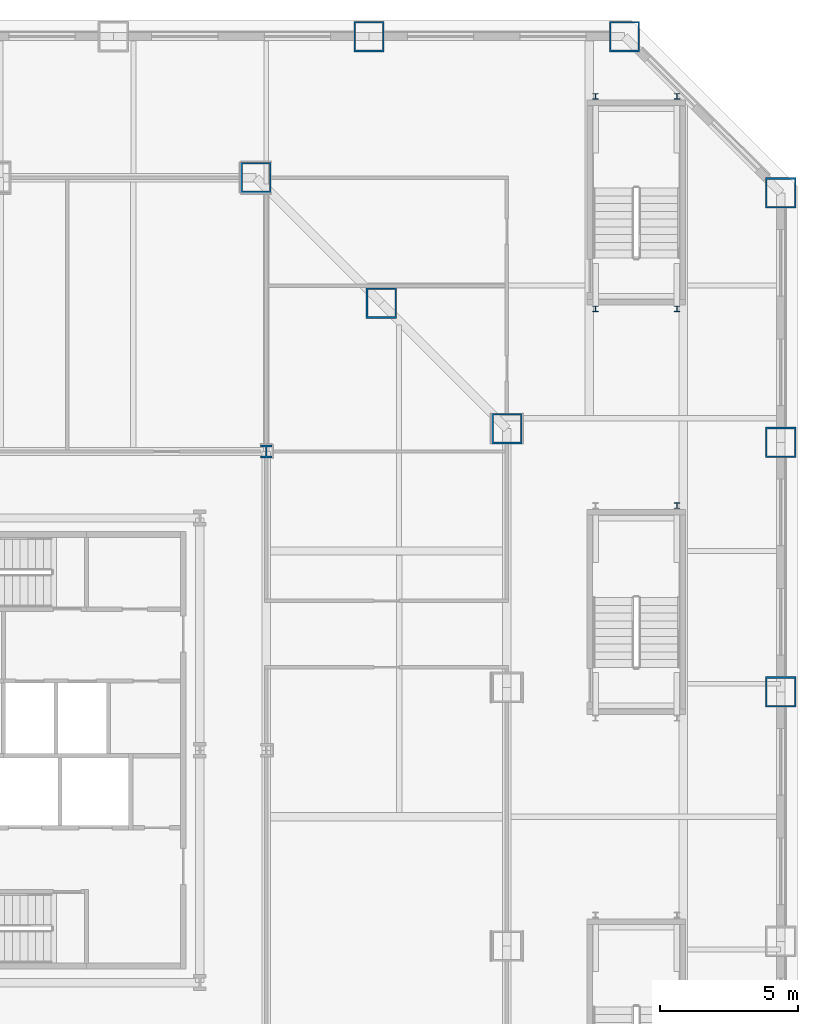
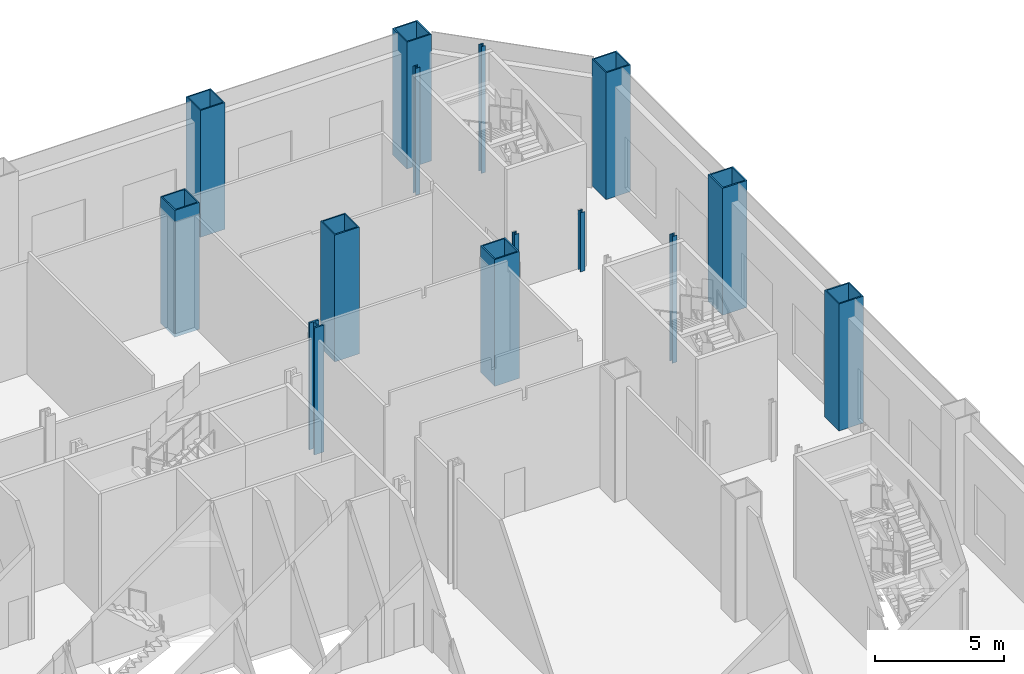
# One storey, part 7 of 31: 14 columns.
"""IFC4 building model written with IfcOpenShell, lengths in metres."""

from ifc_helpers import new_model, si_unit, direction, frame, origin, origin_2d, place, context, subcontext, project, spatial, hollow_rectangle, i_section, extrude, material, material_profile, profile_set, type_object, element, save


model = new_model("IFC4")

# Units and contexts
model_context = context("Model", 3, precision=1e-05, world=origin(), true_north=direction((0.0, 1.0)))
body_context = subcontext(model_context, "Body", "Model", "MODEL_VIEW")
ifc_project = project(units=[si_unit("LENGTHUNIT", "METRE"), si_unit("AREAUNIT", "SQUARE_METRE"), si_unit("VOLUMEUNIT", "CUBIC_METRE"), si_unit("PLANEANGLEUNIT", "RADIAN"), si_unit("MASSUNIT", "GRAM", prefix="KILO")], contexts=[model_context])

# Site, building, storey
site_placement = place(None, origin())
site = spatial("IfcSite", under=ifc_project, at=site_placement, CompositionType="ELEMENT")
building_placement = place(site_placement, origin())
building = spatial("IfcBuilding", under=site, at=building_placement, Name="Cairn Pilgrim Tower", CompositionType="ELEMENT")
storey_placement = place(building_placement, frame((0.0, 0.0, 15.0)))
storey = spatial("IfcBuildingStorey", under=building, at=storey_placement, Name="L02", CompositionType="ELEMENT", Elevation=15.0)

# Columns
ifc_material_1 = material(Name="Structural steel S460M", Category="steel")
ifc_material_profile_1 = material_profile(ifc_material_1, hollow_rectangle(XDim=1.10009765625, YDim=1.10009765625, WallThickness=0.06005859375, at=origin_2d()), Name="BOX 1100x1100x60")
ifc_profile_set_1 = profile_set([ifc_material_profile_1], Name="Structural steel S460M")
column_type_1 = type_object("IfcColumnType", Name="BOX 1100x1100x60", PredefinedType="COLUMN", material=ifc_profile_set_1)
for number, where, z_axis, x_axis, name in (
    (1, (27.89990234375, 14.027099609375, -0.199951171875), (0.0, 0.0, 1.0), (1.0, 0.0, 0.0), "PC1-NE1"),
    (2, (23.363525390625, 18.563720703125, -0.199951171875), (0.0, 0.0, 1.0), (1.0, 0.0, 0.0), "PC1-NE2"),
    (3, (18.8271484375, 23.10009765625, -0.199951171875), (0.0, 0.0, 1.0), (1.0, 0.0, 0.0), "PC1-N1"),
):
    element("IfcColumn", number, at=place(storey_placement, frame(where, z_axis=z_axis, x_axis=x_axis)), inside=storey, type_object=column_type_1, Name=name, PredefinedType="COLUMN", context=body_context, shape_type="SweptSolid", body=[
        extrude(hollow_rectangle(XDim=1.10009765625, YDim=1.10009765625, WallThickness=0.06005859375, at=origin_2d()), origin(), (0.0, 0.0, 1.0), 6.0),
    ])
ifc_material_profile_2 = material_profile(ifc_material_1, i_section(OverallWidth=0.424072265625, OverallDepth=0.47412109375, WebThickness=0.047607421875, FlangeThickness=0.0771484375, FilletRadius=0.014892578125, at=origin_2d()), Name="HD 400x634")
ifc_profile_set_2 = profile_set([ifc_material_profile_2], Name="Structural steel S460M")
column_type_2 = type_object("IfcColumnType", Name="HD 400x634", PredefinedType="COLUMN", material=ifc_profile_set_2)
column_placement = place(storey_placement, frame((19.199951171875, 13.199951171875, -0.199951171875), z_axis=(0.0, 0.0, 1.0), x_axis=(1.0, 0.0, 0.0)))
element("IfcColumn", 4, at=column_placement, inside=storey, type_object=column_type_2, Name="IC-8", PredefinedType="COLUMN", context=body_context, shape_type="SweptSolid", body=[
    extrude(i_section(OverallWidth=0.424072265625, OverallDepth=0.47412109375, WebThickness=0.047607421875, FlangeThickness=0.0771484375, FilletRadius=0.014892578125, at=origin_2d()), origin(), (0.0, 0.0, 1.0), 6.0),
])
ifc_material_profile_3 = material_profile(ifc_material_1, hollow_rectangle(XDim=1.10009765625, YDim=1.10009765625, WallThickness=0.06005859375, at=origin_2d()), Name="BOX 1100x1100x60")
ifc_profile_set_3 = profile_set([ifc_material_profile_3], Name="Structural steel S460M")
column_type_3 = type_object("IfcColumnType", Name="PILOTIS CFT 1100", PredefinedType="COLUMN", material=ifc_profile_set_3)
for number, where, z_axis, x_axis, name in (
    (5, (37.800048828125, 4.51025390625, 0.0), (0.0, 0.0, 1.0), (1.0, 0.0, 0.0), "PILOTIS PL-E4"),
    (6, (37.800048828125, 13.531005859375, 0.0), (0.0, 0.0, 1.0), (1.0, 0.0, 0.0), "PILOTIS PL-E5"),
    (7, (37.800048828125, 22.551513671875, 0.0), (0.0, 0.0, 1.0), (1.0, 0.0, 0.0), "PILOTIS PL-NE1"),
    (8, (32.151611328125, 28.199951171875, 0.0), (0.0, 0.0, 1.0), (1.0, 0.0, 0.0), "PILOTIS PL-N1"),
    (9, (22.91357421875, 28.199951171875, 0.0), (0.0, 0.0, 1.0), (1.0, 0.0, 0.0), "PILOTIS PL-N2"),
):
    element("IfcColumn", number, at=place(storey_placement, frame(where, z_axis=z_axis, x_axis=x_axis)), inside=storey, type_object=column_type_3, Name=name, PredefinedType="COLUMN", context=body_context, shape_type="SweptSolid", body=[
        extrude(hollow_rectangle(XDim=1.10009765625, YDim=1.10009765625, WallThickness=0.06005859375, at=origin_2d()), origin(), (0.0, 0.0, 1.0), 6.0),
    ])
ifc_material_2 = material(Name="Structural steel S355J2", Category="steel")
ifc_material_profile_4 = material_profile(ifc_material_2, i_section(OverallWidth=0.199951171875, OverallDepth=0.199951171875, WebThickness=0.009033203125, FlangeThickness=0.014892578125, FilletRadius=0.01806640625, at=origin_2d()), Name="HE 200 B")
ifc_profile_set_4 = profile_set([ifc_material_profile_4], Name="Structural steel S355J2")
column_type_4 = type_object("IfcColumnType", Name="STAIR POST HE 200 B", PredefinedType="COLUMN", material=ifc_profile_set_4)
for number, where, z_axis, x_axis, name in (
    (10, (34.044921875, 11.239990234375, 0.0), (0.0, 0.0, 1.0), (1.0, 0.0, 0.0), "STAIR POST LP-ES3-NB"),
    (11, (31.10498046875, 26.0400390625, 0.0), (0.0, 0.0, 1.0), (1.0, 0.0, 0.0), "STAIR POST LP-ES4-NA"),
    (12, (34.044921875, 26.0400390625, 0.0), (0.0, 0.0, 1.0), (1.0, 0.0, 0.0), "STAIR POST LP-ES4-NB"),
):
    element("IfcColumn", number, at=place(storey_placement, frame(where, z_axis=z_axis, x_axis=x_axis)), inside=storey, type_object=column_type_4, Name=name, PredefinedType="COLUMN", context=body_context, shape_type="SweptSolid", body=[
        extrude(i_section(OverallWidth=0.199951171875, OverallDepth=0.199951171875, WebThickness=0.009033203125, FlangeThickness=0.014892578125, FilletRadius=0.01806640625, at=origin_2d()), origin(), (0.0, 0.0, 1.0), 6.0),
    ])
for number, where, z_axis, x_axis, name in (
    (13, (31.10498046875, 18.360107421875, 0.0), (0.0, 0.0, 1.0), (1.0, 0.0, 0.0), "STAIR POST LP-ES4-SA"),
    (14, (34.044921875, 18.360107421875, 0.0), (0.0, 0.0, 1.0), (1.0, 0.0, 0.0), "STAIR POST LP-ES4-SB"),
):
    element("IfcColumn", number, at=place(storey_placement, frame(where, z_axis=z_axis, x_axis=x_axis)), inside=storey, type_object=column_type_4, Name=name, PredefinedType="COLUMN", context=body_context, shape_type="SweptSolid", body=[
        extrude(i_section(OverallWidth=0.199951171875, OverallDepth=0.199951171875, WebThickness=0.009033203125, FlangeThickness=0.014892578125, FilletRadius=0.01806640625, at=origin_2d()), origin(), (0.0, 0.0, 1.0), 2.800048828125),
    ])

save(model, "model.ifc")
